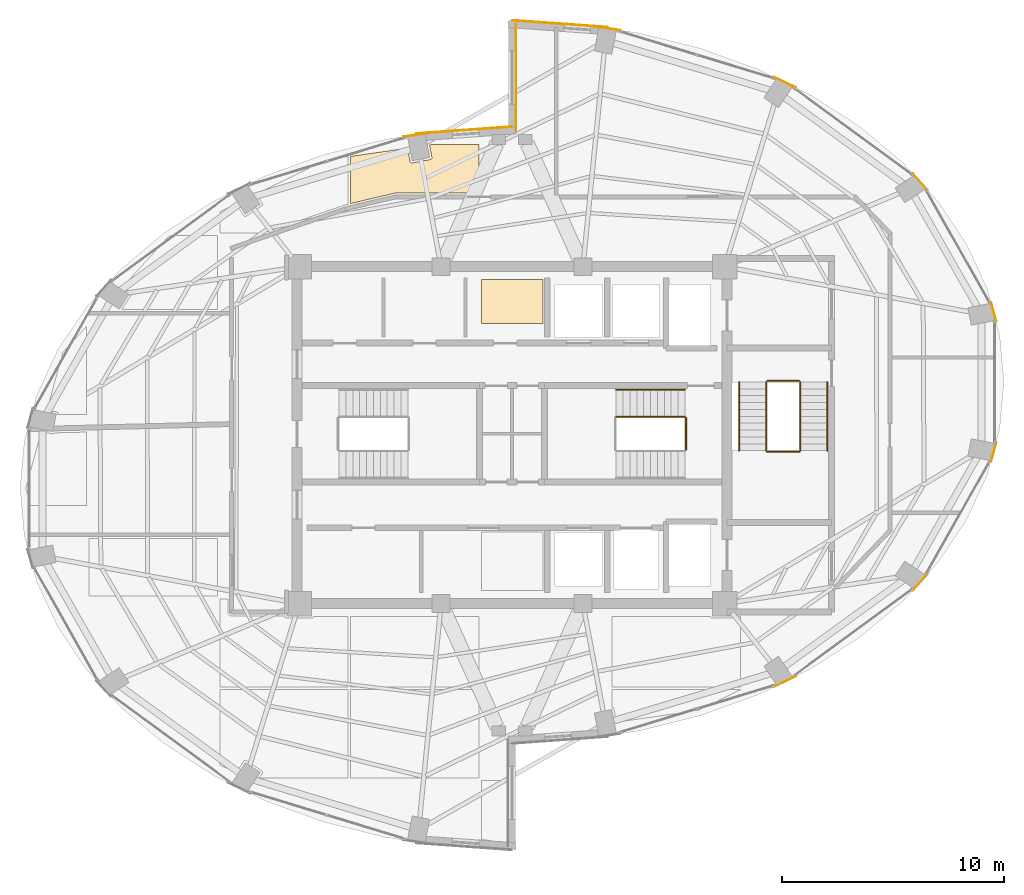
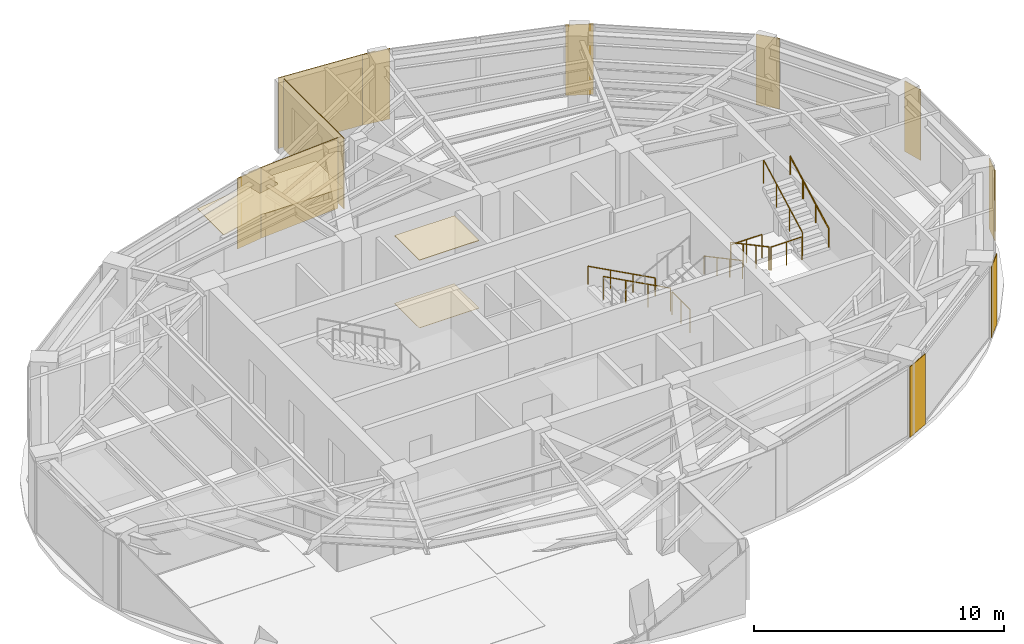
# One storey, part 23 of 23: 14 coverings, 9 railings.
"""IFC4 building model written with IfcOpenShell, lengths in metres."""

from ifc_helpers import new_model, si_unit, direction, frame, origin, origin_2d, place, context, subcontext, project, spatial, polyline, rectangle, circle, outline, extrude, material, layer, layer_set, type_object, element, save


model = new_model("IFC4")

# Units and contexts
model_context = context("Model", 3, precision=1e-05, world=origin(), true_north=direction((0.0, 1.0)))
body_context = subcontext(model_context, "Body", "Model", "MODEL_VIEW")
ifc_project = project(units=[si_unit("LENGTHUNIT", "METRE"), si_unit("AREAUNIT", "SQUARE_METRE"), si_unit("VOLUMEUNIT", "CUBIC_METRE"), si_unit("PLANEANGLEUNIT", "RADIAN"), si_unit("MASSUNIT", "GRAM", prefix="KILO")], contexts=[model_context])

# Site, building, storey
site_placement = place(None, origin())
site = spatial("IfcSite", under=ifc_project, at=site_placement, CompositionType="ELEMENT")
building_placement = place(site_placement, origin())
building = spatial("IfcBuilding", under=site, at=building_placement, Name="Lazwardi Medical Tower", CompositionType="ELEMENT")
storey_placement = place(building_placement, frame((0.0, 0.0, 231.31201171875)))
storey = spatial("IfcBuildingStorey", under=building, at=storey_placement, Name="L60", CompositionType="ELEMENT", Elevation=231.31201171875)

# Coverings
ifc_material_1 = material(Name="Anodised bronze aluminium cassette cladding", Category="aluminium")
ifc_layer_1 = layer(ifc_material_1, 0.030029296875)
ifc_layer_set_1 = layer_set([ifc_layer_1], Name="Anodised bronze aluminium cassette cladding")
covering_type_1 = type_object("IfcCoveringType", Name="COV-CLD-BRZ", PredefinedType="CLADDING", material=ifc_layer_set_1)
covering_1_placement = place(storey_placement, frame((48.311279296875, 16.878662109375, 0.0), z_axis=(0.0, 0.0, 1.0), x_axis=(0.897840141691, 0.440321564278, 0.0)))
element("IfcCovering", 1, at=covering_1_placement, inside=storey, type_object=covering_type_1, Name="L60 Mega-column bronze cassette cover M02", PredefinedType="CLADDING", context=body_context, shape_type="SweptSolid", body=[
    extrude(rectangle(XDim=1.110595703125, YDim=0.030029296875, at=origin_2d()), origin(), (0.0, 0.0, 1.0), 3.447998046875),
])
covering_2_placement = place(storey_placement, frame((54.42529296875, 21.365234375, 0.0), z_axis=(0.0, 0.0, 1.0), x_axis=(0.673240970654, 0.739423150458, 0.0)))
element("IfcCovering", 2, at=covering_2_placement, inside=storey, type_object=covering_type_1, Name="L60 Mega-column bronze cassette cover M03", PredefinedType="CLADDING", context=body_context, shape_type="SweptSolid", body=[
    extrude(rectangle(XDim=0.98974609375, YDim=0.030029296875, at=origin_2d()), origin(), (0.0, 0.0, 1.0), 3.447998046875),
])
for number, where, z_axis, x_axis, name in (
    (3, (57.734130859375, 27.227294921875, 0.0), (0.0, 0.0, 1.0), (0.261641748247, 0.96516506131, 0.0), "L60 Mega-column bronze cassette cover M04"),
    (4, (57.734130859375, 33.572509765625, 0.0), (0.0, 0.0, 1.0), (-0.261641748247, 0.96516506131, 0.0), "L60 Mega-column bronze cassette cover M05"),
):
    element("IfcCovering", number, at=place(storey_placement, frame(where, z_axis=z_axis, x_axis=x_axis)), inside=storey, type_object=covering_type_1, Name=name, PredefinedType="CLADDING", context=body_context, shape_type="SweptSolid", body=[
        extrude(rectangle(XDim=0.894287109375, YDim=0.030029296875, at=origin_2d()), origin(), (0.0, 0.0, 1.0), 3.447998046875),
    ])
covering_3_placement = place(storey_placement, frame((54.42529296875, 39.434814453125, 0.0), z_axis=(0.0, 0.0, 1.0), x_axis=(-0.673240970654, 0.739423150458, 0.0)))
element("IfcCovering", 5, at=covering_3_placement, inside=storey, type_object=covering_type_1, Name="L60 Mega-column bronze cassette cover M06", PredefinedType="CLADDING", context=body_context, shape_type="SweptSolid", body=[
    extrude(rectangle(XDim=0.98974609375, YDim=0.030029296875, at=origin_2d()), origin(), (0.0, 0.0, 1.0), 3.447998046875),
])
covering_4_placement = place(storey_placement, frame((48.311279296875, 43.92138671875, 0.0), z_axis=(0.0, 0.0, 1.0), x_axis=(-0.897840141691, 0.440321564278, 0.0)))
element("IfcCovering", 6, at=covering_4_placement, inside=storey, type_object=covering_type_1, Name="L60 Mega-column bronze cassette cover M07", PredefinedType="CLADDING", context=body_context, shape_type="SweptSolid", body=[
    extrude(rectangle(XDim=1.110595703125, YDim=0.030029296875, at=origin_2d()), origin(), (0.0, 0.0, 1.0), 3.447998046875),
])
for number, where, z_axis, x_axis, name in (
    (7, (40.3232421875, 46.349609375, 0.0), (0.0, 0.0, 1.0), (-0.989512431533, 0.144447733943, 0.0), "L60 Mega-column bronze cassette cover M08"),
    (8, (31.6767578125, 41.549560546875, 0.0), (0.0, 0.0, 1.0), (-0.989512431533, -0.144447733943, 0.0), "L60 Mega-column bronze cassette cover M09"),
):
    element("IfcCovering", number, at=place(storey_placement, frame(where, z_axis=z_axis, x_axis=x_axis)), inside=storey, type_object=covering_type_1, Name=name, PredefinedType="CLADDING", context=body_context, shape_type="SweptSolid", body=[
        extrude(rectangle(XDim=1.188720703125, YDim=0.030029296875, at=origin_2d()), origin(), (0.0, 0.0, 1.0), 3.447998046875),
    ])
ifc_material_2 = material(Name="Turquoise glazed ceramic tilework cladding", Category="masonry")
ifc_layer_2 = layer(ifc_material_2, 0.034912109375)
ifc_layer_set_2 = layer_set([ifc_layer_2], Name="Turquoise glazed ceramic tilework cladding")
covering_type_2 = type_object("IfcCoveringType", Name="COV-CLD-TRQ", PredefinedType="CLADDING", material=ifc_layer_set_2)
covering_5_placement = place(storey_placement, frame((38.16259765625, 46.56005859375, 0.0), z_axis=(0.0, 0.0, 1.0), x_axis=(-0.997409491337, 0.071932653157, 0.0)))
element("IfcCovering", 9, at=covering_5_placement, inside=storey, type_object=covering_type_2, Name="L60 Turquoise glazed ceramic tilework cladding", PredefinedType="CLADDING", context=body_context, shape_type="SweptSolid", body=[
    extrude(rectangle(XDim=4.31103515625, YDim=0.034912109375, at=origin_2d()), origin(), (0.0, 0.0, 1.0), 3.447998046875),
])
covering_6_placement = place(storey_placement, frame((33.83740234375, 41.760009765625, 0.0), z_axis=(0.0, 0.0, 1.0), x_axis=(-0.997408989128, -0.071939616387, 0.0)))
element("IfcCovering", 10, at=covering_6_placement, inside=storey, type_object=covering_type_2, Name="L60 Turquoise glazed ceramic tilework cladding", PredefinedType="CLADDING", context=body_context, shape_type="SweptSolid", body=[
    extrude(rectangle(XDim=4.310546875, YDim=0.034912109375, at=origin_2d()), origin(), (0.0, 0.0, 1.0), 3.447998046875),
])
covering_7_placement = place(storey_placement, frame((36.175537109375, 44.139892578125, 0.0), z_axis=(0.0, 0.0, 1.0), x_axis=(0.0, -1.0, 0.0)))
element("IfcCovering", 11, at=covering_7_placement, inside=storey, type_object=covering_type_2, Name="L60 Turquoise glazed ceramic tilework iwan panel", PredefinedType="CLADDING", context=body_context, shape_type="SweptSolid", body=[
    extrude(rectangle(XDim=4.800048828125, YDim=0.034912109375, at=origin_2d()), origin(), (0.0, 0.0, 1.0), 3.447998046875),
])
ifc_material_3 = material(Name="Acoustic mineral fibre tile")
ifc_layer_3 = layer(ifc_material_3, 0.02490234375)
ifc_layer_set_3 = layer_set([ifc_layer_3], Name="Acoustic mineral fibre tile")
covering_type_3 = type_object("IfcCoveringType", Name="COV-CLG-01", PredefinedType="CEILING", material=ifc_layer_set_3)
covering_8_placement = place(storey_placement, frame((0.0, 0.0, 3.302978515625)))
element("IfcCovering", 12, at=covering_8_placement, inside=storey, type_object=covering_type_3, Name="L60 Clinical Acoustic Ceiling 6", PredefinedType="CEILING", context=body_context, shape_type="SweptSolid", body=[
    extrude(outline(polyline([(32.383544921875, 41.112548828125), (32.276123046875, 41.096923828125), (32.3876953125, 40.536865234375), (32.388671875, 40.529052734375), (32.38916015625, 40.521240234375), (32.388671875, 40.513427734375), (32.3876953125, 40.505615234375), (32.3857421875, 40.498046875), (32.383056640625, 40.490478515625), (32.379638671875, 40.4833984375), (32.37548828125, 40.476806640625), (32.370849609375, 40.470458984375), (32.36572265625, 40.464599609375), (32.35986328125, 40.45947265625), (32.353515625, 40.45458984375), (32.3466796875, 40.45068359375), (32.339599609375, 40.447265625), (32.332275390625, 40.444580078125), (32.32470703125, 40.442626953125), (31.5009765625, 40.27880859375), (31.4931640625, 40.277587890625), (31.4853515625, 40.27734375), (31.4775390625, 40.277587890625), (31.4697265625, 40.27880859375), (31.462158203125, 40.28076171875), (31.45458984375, 40.283447265625), (31.447509765625, 40.28662109375), (31.44091796875, 40.290771484375), (31.4345703125, 40.29541015625), (31.4287109375, 40.30078125), (31.423583984375, 40.306396484375), (31.418701171875, 40.312744140625), (31.414794921875, 40.319580078125), (31.411376953125, 40.32666015625), (31.40869140625, 40.333984375), (31.40673828125, 40.341796875), (31.285400390625, 40.95263671875), (28.722900390625, 40.57958984375), (28.722900390625, 38.449462890625), (30.70947265625, 38.920166015625), (30.71337890625, 38.921142578125), (30.72412109375, 38.923095703125), (30.734375, 38.92431640625), (30.74560546875, 38.9248046875), (30.749755859375, 38.925048828125), (34.5029296875, 38.925048828125), (34.5029296875, 41.112548828125), (32.383544921875, 41.112548828125)])), origin(), (0.0, 0.0, 1.0), 0.02490234375),
])
covering_9_placement = place(storey_placement, frame((0.0, 0.0, 3.302978515625)))
element("IfcCovering", 13, at=covering_9_placement, inside=storey, type_object=covering_type_3, Name="L60 Clinical Acoustic Ceiling 9", PredefinedType="CEILING", context=body_context, shape_type="SweptSolid", body=[
    extrude(outline(polyline([(37.389892578125, 33.032470703125), (37.389892578125, 35.02001953125), (34.622802734375, 35.02001953125), (34.622802734375, 33.032470703125), (37.389892578125, 33.032470703125)])), origin(), (0.0, 0.0, 1.0), 0.02490234375),
])
ifc_material_4 = material(Name="Anti-static hospital vinyl sheet flooring")
ifc_layer_4 = layer(ifc_material_4, 0.014892578125)
ifc_layer_set_4 = layer_set([ifc_layer_4], Name="Anti-static hospital vinyl sheet flooring")
covering_type_4 = type_object("IfcCoveringType", Name="COV-FLR-01", PredefinedType="FLOORING", material=ifc_layer_set_4)
covering_10_placement = place(storey_placement, origin())
element("IfcCovering", 14, at=covering_10_placement, inside=storey, type_object=covering_type_4, Name="L60 Clinical Vinyl Flooring 9", PredefinedType="FLOORING", context=body_context, shape_type="SweptSolid", body=[
    extrude(outline(polyline([(37.389892578125, 33.032470703125), (37.389892578125, 35.02001953125), (34.622802734375, 35.02001953125), (34.622802734375, 33.032470703125), (37.389892578125, 33.032470703125)])), origin(), (0.0, 0.0, 1.0), 0.014892578125),
])

# Railings
ifc_material_5 = material(Name="Stainless steel Grade 316", Category="steel")
railing_type_1 = type_object("IfcRailingType", Name="RLG-GRD-1150", PredefinedType="GUARDRAIL", material=ifc_material_5)
railing_1_placement = place(storey_placement, frame((43.800048828125, 28.830078125, 0.165771484375)))
element("IfcRailing", 15, at=railing_1_placement, inside=storey, type_object=railing_type_1, Name="L60 ST2 stair guard 1", PredefinedType="GUARDRAIL", context=body_context, shape_type="SweptSolid", body=[
    extrude(circle(Radius=0.02392578125, at=origin_2d()), frame((0.0, 0.0, 1.1259765625), z_axis=(-0.881783298633, 0.0, 0.471654761719), x_axis=(0.0, -1.0, 0.0)), (0.0, 0.0, 1.0), 3.515625),
    extrude(circle(Radius=0.02099609375, at=origin_2d()), origin(), (0.0, 0.0, 1.0), 1.099853515625),
    extrude(circle(Radius=0.02099609375, at=origin_2d()), frame((-1.033447265625, 0.0, 0.552734375)), (0.0, 0.0, 1.0), 1.099853515625),
    extrude(circle(Radius=0.02099609375, at=origin_2d()), frame((-2.066650390625, 0.0, 1.10546875)), (0.0, 0.0, 1.0), 1.099853515625),
    extrude(circle(Radius=0.02099609375, at=origin_2d()), frame((-3.10009765625, 0.0, 1.658203125)), (0.0, 0.0, 1.0), 1.099853515625),
])
railing_2_placement = place(storey_placement, frame((43.85009765625, 28.780029296875, 0.0)))
element("IfcRailing", 16, at=railing_2_placement, inside=storey, type_object=railing_type_1, Name="L60 ST2 stair guard 4", PredefinedType="GUARDRAIL", context=body_context, shape_type="SweptSolid", body=[
    extrude(circle(Radius=0.02392578125, at=origin_2d()), frame((0.0, 0.0, 1.1259765625), z_axis=(0.0, -1.0, 0.0), x_axis=(1.0, 0.0, 0.0)), (0.0, 0.0, 1.0), 1.43994140625),
    extrude(circle(Radius=0.02099609375, at=origin_2d()), origin(), (0.0, 0.0, 1.0), 1.099853515625),
    extrude(circle(Radius=0.02099609375, at=origin_2d()), frame((0.0, -0.719970703125, 0.0)), (0.0, 0.0, 1.0), 1.099853515625),
    extrude(circle(Radius=0.02099609375, at=origin_2d()), frame((0.0, -1.43994140625, 0.0)), (0.0, 0.0, 1.0), 1.099853515625),
])
railing_3_placement = place(storey_placement, frame((47.469970703125, 30.39990234375, 0.165771484375)))
element("IfcRailing", 17, at=railing_3_placement, inside=storey, type_object=railing_type_1, Name="L60 ST3 stair guard 1", PredefinedType="GUARDRAIL", context=body_context, shape_type="SweptSolid", body=[
    extrude(circle(Radius=0.02392578125, at=origin_2d()), frame((0.0, 0.0, 1.1259765625), z_axis=(0.0, -0.881767849116, 0.471683644262), x_axis=(1.0, 0.0, 0.0)), (0.0, 0.0, 1.0), 3.515380859375),
    extrude(circle(Radius=0.02099609375, at=origin_2d()), origin(), (0.0, 0.0, 1.0), 1.099853515625),
    extrude(circle(Radius=0.02099609375, at=origin_2d()), frame((0.0, -1.033203125, 0.552734375)), (0.0, 0.0, 1.0), 1.099853515625),
    extrude(circle(Radius=0.02099609375, at=origin_2d()), frame((0.0, -2.066650390625, 1.10546875)), (0.0, 0.0, 1.0), 1.099853515625),
    extrude(circle(Radius=0.02099609375, at=origin_2d()), frame((0.0, -3.099853515625, 1.658203125)), (0.0, 0.0, 1.0), 1.099853515625),
])
railing_4_placement = place(storey_placement, frame((47.52001953125, 27.25, 1.823974609375)))
element("IfcRailing", 18, at=railing_4_placement, inside=storey, type_object=railing_type_1, Name="L60 ST3 stair guard 2", PredefinedType="GUARDRAIL", context=body_context, shape_type="SweptSolid", body=[
    extrude(circle(Radius=0.02392578125, at=origin_2d()), frame((0.0, 0.0, 1.1259765625), z_axis=(1.0, 0.0, 0.0), x_axis=(0.0, 1.0, 0.0)), (0.0, 0.0, 1.0), 1.43994140625),
    extrude(circle(Radius=0.02099609375, at=origin_2d()), origin(), (0.0, 0.0, 1.0), 1.099853515625),
    extrude(circle(Radius=0.02099609375, at=origin_2d()), frame((0.719970703125, 0.0, 0.0)), (0.0, 0.0, 1.0), 1.099853515625),
    extrude(circle(Radius=0.02099609375, at=origin_2d()), frame((1.43994140625, 0.0, 0.0)), (0.0, 0.0, 1.0), 1.099853515625),
])
railing_5_placement = place(storey_placement, frame((49.010009765625, 27.300048828125, 1.98974609375)))
element("IfcRailing", 19, at=railing_5_placement, inside=storey, type_object=railing_type_1, Name="L60 ST3 stair guard 3", PredefinedType="GUARDRAIL", context=body_context, shape_type="SweptSolid", body=[
    extrude(circle(Radius=0.02392578125, at=origin_2d()), frame((0.0, 0.0, 1.1259765625), z_axis=(0.0, 0.881767849116, 0.471683644262), x_axis=(-1.0, 0.0, 0.0)), (0.0, 0.0, 1.0), 3.515380859375),
    extrude(circle(Radius=0.02099609375, at=origin_2d()), origin(), (0.0, 0.0, 1.0), 1.099853515625),
    extrude(circle(Radius=0.02099609375, at=origin_2d()), frame((0.0, 1.033203125, 0.552734375)), (0.0, 0.0, 1.0), 1.099853515625),
    extrude(circle(Radius=0.02099609375, at=origin_2d()), frame((0.0, 2.066650390625, 1.10546875)), (0.0, 0.0, 1.0), 1.099853515625),
    extrude(circle(Radius=0.02099609375, at=origin_2d()), frame((0.0, 3.099853515625, 1.658203125)), (0.0, 0.0, 1.0), 1.099853515625),
])
railing_6_placement = place(storey_placement, frame((47.52001953125, 30.449951171875, 0.0)))
element("IfcRailing", 20, at=railing_6_placement, inside=storey, type_object=railing_type_1, Name="L60 ST3 stair guard 4", PredefinedType="GUARDRAIL", context=body_context, shape_type="SweptSolid", body=[
    extrude(circle(Radius=0.02392578125, at=origin_2d()), frame((0.0, 0.0, 1.1259765625), z_axis=(1.0, 0.0, 0.0), x_axis=(0.0, 1.0, 0.0)), (0.0, 0.0, 1.0), 1.43994140625),
    extrude(circle(Radius=0.02099609375, at=origin_2d()), origin(), (0.0, 0.0, 1.0), 1.099853515625),
    extrude(circle(Radius=0.02099609375, at=origin_2d()), frame((0.719970703125, 0.0, 0.0)), (0.0, 0.0, 1.0), 1.099853515625),
    extrude(circle(Radius=0.02099609375, at=origin_2d()), frame((1.43994140625, 0.0, 0.0)), (0.0, 0.0, 1.0), 1.099853515625),
])
railing_type_2 = type_object("IfcRailingType", Name="RLG-HND-920", PredefinedType="HANDRAIL", material=ifc_material_5)
railing_7_placement = place(storey_placement, frame((43.800048828125, 30.050048828125, 0.165771484375)))
element("IfcRailing", 21, at=railing_7_placement, inside=storey, type_object=railing_type_2, Name="L60 ST2 stair handrail 1", PredefinedType="HANDRAIL", context=body_context, shape_type="SweptSolid", body=[
    extrude(circle(Radius=0.02392578125, at=origin_2d()), frame((0.0, 0.0, 0.8857421875), z_axis=(-0.881783298633, 0.0, 0.471654761719), x_axis=(0.0, -1.0, 0.0)), (0.0, 0.0, 1.0), 3.515625),
    extrude(circle(Radius=0.02099609375, at=origin_2d()), origin(), (0.0, 0.0, 1.0), 0.85986328125),
    extrude(circle(Radius=0.02099609375, at=origin_2d()), frame((-1.033447265625, 0.0, 0.552734375)), (0.0, 0.0, 1.0), 0.85986328125),
    extrude(circle(Radius=0.02099609375, at=origin_2d()), frame((-2.066650390625, 0.0, 1.10546875)), (0.0, 0.0, 1.0), 0.85986328125),
    extrude(circle(Radius=0.02099609375, at=origin_2d()), frame((-3.10009765625, 0.0, 1.658203125)), (0.0, 0.0, 1.0), 0.85986328125),
])
railing_8_placement = place(storey_placement, frame((46.25, 30.39990234375, 0.165771484375)))
element("IfcRailing", 22, at=railing_8_placement, inside=storey, type_object=railing_type_2, Name="L60 ST3 stair handrail 1", PredefinedType="HANDRAIL", context=body_context, shape_type="SweptSolid", body=[
    extrude(circle(Radius=0.02392578125, at=origin_2d()), frame((0.0, 0.0, 0.8857421875), z_axis=(0.0, -0.881767849116, 0.471683644262), x_axis=(1.0, 0.0, 0.0)), (0.0, 0.0, 1.0), 3.515380859375),
    extrude(circle(Radius=0.02099609375, at=origin_2d()), origin(), (0.0, 0.0, 1.0), 0.85986328125),
    extrude(circle(Radius=0.02099609375, at=origin_2d()), frame((0.0, -1.033203125, 0.552734375)), (0.0, 0.0, 1.0), 0.85986328125),
    extrude(circle(Radius=0.02099609375, at=origin_2d()), frame((0.0, -2.066650390625, 1.10546875)), (0.0, 0.0, 1.0), 0.85986328125),
    extrude(circle(Radius=0.02099609375, at=origin_2d()), frame((0.0, -3.099853515625, 1.658203125)), (0.0, 0.0, 1.0), 0.85986328125),
])
railing_9_placement = place(storey_placement, frame((50.22998046875, 27.300048828125, 1.98974609375)))
element("IfcRailing", 23, at=railing_9_placement, inside=storey, type_object=railing_type_2, Name="L60 ST3 stair handrail 2", PredefinedType="HANDRAIL", context=body_context, shape_type="SweptSolid", body=[
    extrude(circle(Radius=0.02392578125, at=origin_2d()), frame((0.0, 0.0, 0.8857421875), z_axis=(0.0, 0.881767849116, 0.471683644262), x_axis=(-1.0, 0.0, 0.0)), (0.0, 0.0, 1.0), 3.515380859375),
    extrude(circle(Radius=0.02099609375, at=origin_2d()), origin(), (0.0, 0.0, 1.0), 0.85986328125),
    extrude(circle(Radius=0.02099609375, at=origin_2d()), frame((0.0, 1.033203125, 0.552734375)), (0.0, 0.0, 1.0), 0.85986328125),
    extrude(circle(Radius=0.02099609375, at=origin_2d()), frame((0.0, 2.066650390625, 1.10546875)), (0.0, 0.0, 1.0), 0.85986328125),
    extrude(circle(Radius=0.02099609375, at=origin_2d()), frame((0.0, 3.099853515625, 1.658203125)), (0.0, 0.0, 1.0), 0.85986328125),
])

save(model, "model.ifc")
